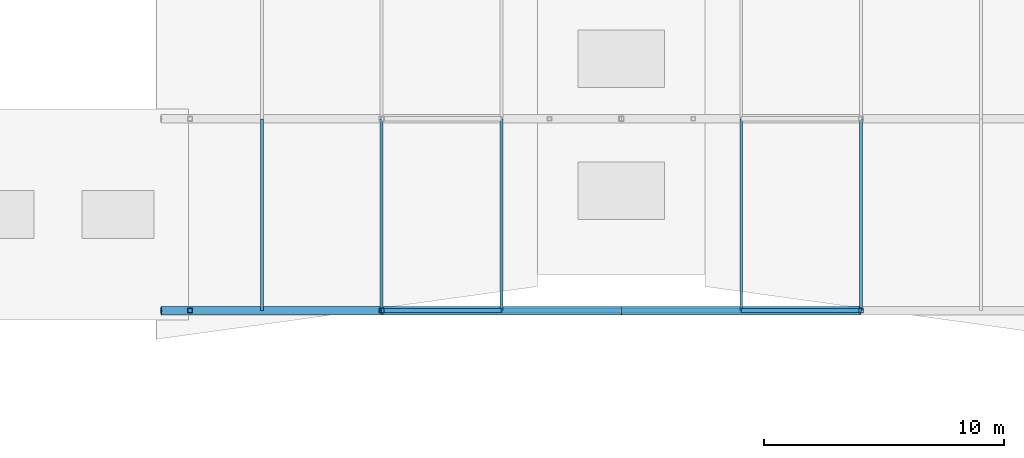
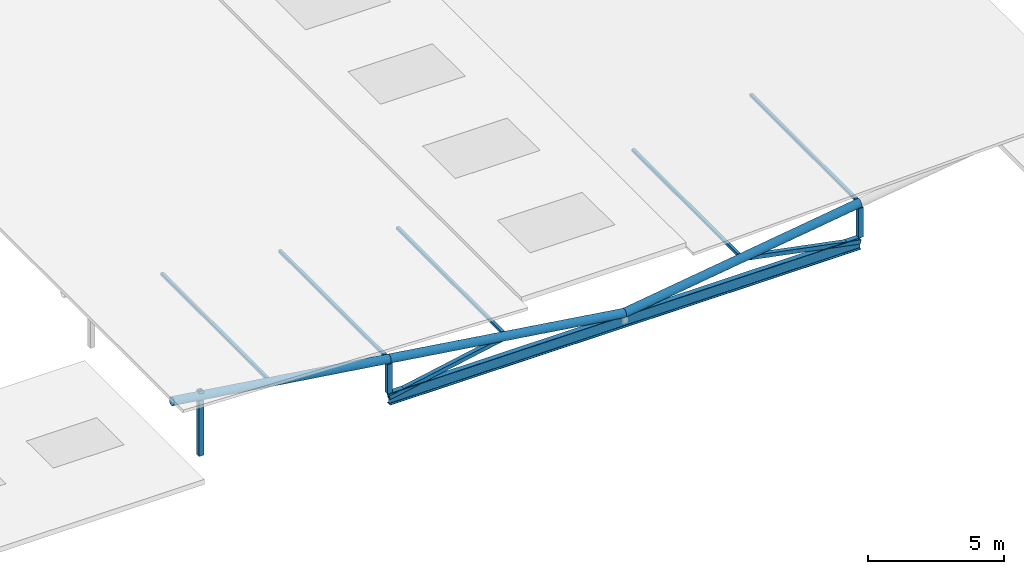
# One storey, part 15 of 84: 10 members, 4 beams.
"""IFC4 building model written with IfcOpenShell, lengths in metres."""

from ifc_helpers import new_model, si_unit, direction, frame, origin, origin_2d, place, context, subcontext, project, spatial, hollow_rectangle, hollow_circle, i_section, extrude, material, material_profile, profile_set, type_object, element, save


model = new_model("IFC4")

# Units and contexts
model_context = context("Model", 3, precision=1e-05, world=origin(), true_north=direction((0.0, 1.0)))
body_context = subcontext(model_context, "Body", "Model", "MODEL_VIEW")
ifc_project = project(units=[si_unit("LENGTHUNIT", "METRE"), si_unit("AREAUNIT", "SQUARE_METRE"), si_unit("VOLUMEUNIT", "CUBIC_METRE"), si_unit("PLANEANGLEUNIT", "RADIAN"), si_unit("MASSUNIT", "GRAM", prefix="KILO")], contexts=[model_context])

# Site, building, storey
site_placement = place(None, origin())
site = spatial("IfcSite", under=ifc_project, at=site_placement, CompositionType="ELEMENT")
building_placement = place(site_placement, origin())
building = spatial("IfcBuilding", under=site, at=building_placement, Name="Tenunan Teduh Sports Hall", CompositionType="ELEMENT")
storey_placement = place(building_placement, frame((0.0, 0.0, 10.800048828125)))
storey = spatial("IfcBuildingStorey", under=building, at=storey_placement, Name="L02", CompositionType="ELEMENT", Elevation=10.800048828125)

# Beams
ifc_material_1 = material(Name="Steel S355", Category="steel")
ifc_material_profile_1 = material_profile(ifc_material_1, hollow_circle(Radius=0.177734375, WallThickness=0.012451171875, at=origin_2d()), Name="CHS 355.6x12.5")
ifc_profile_set_1 = profile_set([ifc_material_profile_1], Name="Steel S355")
beam_type_1 = type_object("IfcBeamType", Name="GSB-CHS356", PredefinedType="BEAM", material=ifc_profile_set_1)
beam_1_placement = place(storey_placement, frame((68.800048828125, 38.0, 2.719970703125), z_axis=(0.989928466814, 0.0, -0.14156846609), x_axis=(0.0, 1.0, 0.0)))
element("IfcBeam", 1, at=beam_1_placement, inside=storey, type_object=beam_type_1, Name="Gridshell Vault Arch BM-GR-04-L02-0494", PredefinedType="BEAM", context=body_context, shape_type="SweptSolid", body=[
    extrude(hollow_circle(Radius=0.177734375, WallThickness=0.012451171875, at=origin_2d()), origin(), (0.0, 0.0, 1.0), 9.29345703125),
])
for number, where, z_axis, x_axis, name in (
    (2, (78.0, 38.0, 1.404296875), (0.98972987631, 0.0, -0.142950242877), (0.0, 1.0, 0.0), "Gridshell Vault Arch BM-GR-04-L02-0495"),
    (3, (88.0, 38.0, -0.0400390625), (0.98972987631, 0.0, 0.142950242877), (0.0, 1.0, 0.0), "Gridshell Vault Arch BM-GR-04-L02-0496"),
):
    element("IfcBeam", number, at=place(storey_placement, frame(where, z_axis=z_axis, x_axis=x_axis)), inside=storey, type_object=beam_type_1, Name=name, PredefinedType="BEAM", context=body_context, shape_type="SweptSolid", body=[
        extrude(hollow_circle(Radius=0.177734375, WallThickness=0.012451171875, at=origin_2d()), origin(), (0.0, 0.0, 1.0), 10.103759765625),
    ])

# Members
ifc_material_2 = material(Name="Steel S355", Category="steel")
ifc_material_profile_2 = material_profile(ifc_material_2, hollow_rectangle(XDim=0.1201171875, YDim=0.1201171875, WallThickness=0.00634765625, at=origin_2d()), Name="SHS 120x120x6.3")
ifc_profile_set_2 = profile_set([ifc_material_profile_2], Name="Steel S355")
member_type_1 = type_object("IfcMemberType", Name="MEM-PR-SHS120", PredefinedType="PURLIN", material=ifc_profile_set_2)
for number, where, z_axis, x_axis, name in (
    (4, (73.0, 38.0, 2.126708984375), (0.0, 1.0, 0.0), (-1.0, 0.0, 0.0), "MEM-PR-02-L02-0906"),
    (5, (78.0, 38.0, 1.404296875), (0.0, 1.0, 0.0), (-1.0, 0.0, 0.0), "MEM-PR-02-L02-0910"),
    (6, (83.0, 38.0, 0.68212890625), (0.0, 1.0, 0.0), (-1.0, 0.0, 0.0), "MEM-PR-02-L02-0914"),
    (7, (93.0, 38.0, 0.68212890625), (0.0, 1.0, 0.0), (-1.0, 0.0, 0.0), "MEM-PR-02-L02-0918"),
    (8, (98.0, 38.0, 1.404296875), (0.0, 1.0, 0.0), (-1.0, 0.0, 0.0), "MEM-PR-02-L02-0922"),
):
    element("IfcMember", number, at=place(storey_placement, frame(where, z_axis=z_axis, x_axis=x_axis)), inside=storey, type_object=member_type_1, Name=name, PredefinedType="PURLIN", context=body_context, shape_type="SweptSolid", body=[
        extrude(hollow_rectangle(XDim=0.1201171875, YDim=0.1201171875, WallThickness=0.00634765625, at=origin_2d()), origin(), (0.0, 0.0, 1.0), 8.0),
    ])
ifc_material_3 = material(Name="Steel S355", Category="steel")
ifc_material_profile_3 = material_profile(ifc_material_3, hollow_rectangle(XDim=0.179931640625, YDim=0.179931640625, WallThickness=0.010009765625, at=origin_2d()), Name="SHS 180x180x10.0")
ifc_profile_set_3 = profile_set([ifc_material_profile_3], Name="Steel S355")
member_type_2 = type_object("IfcMemberType", Name="MEM-ST-SHS180", PredefinedType="STRUT", material=ifc_profile_set_3)
for number, where, z_axis, x_axis, name in (
    (9, (78.0, 38.0, -0.300048828125), (0.981247525965, 0.0, 0.192751894383), (0.0, 1.0, 0.0), "MEM-VS-03-L02-0862"),
    (10, (98.0, 38.0, -0.300048828125), (-0.981247525965, 0.0, 0.192751894383), (0.0, -1.0, 0.0), "MEM-VS-03-L02-0863"),
):
    element("IfcMember", number, at=place(storey_placement, frame(where, z_axis=z_axis, x_axis=x_axis)), inside=storey, type_object=member_type_2, Name=name, PredefinedType="STRUT", context=body_context, shape_type="SweptSolid", body=[
        extrude(hollow_rectangle(XDim=0.179931640625, YDim=0.179931640625, WallThickness=0.010009765625, at=origin_2d()), origin(), (0.0, 0.0, 1.0), 5.095458984375),
    ])
ifc_material_4 = material(Name="Steel S355", Category="steel")
ifc_material_profile_4 = material_profile(ifc_material_4, hollow_rectangle(XDim=0.199951171875, YDim=0.199951171875, WallThickness=0.010009765625, at=origin_2d()), Name="SHS 200x200x10.0")
ifc_profile_set_4 = profile_set([ifc_material_profile_4], Name="Steel S355")
member_type_3 = type_object("IfcMemberType", Name="MEM-ST-SHS200", PredefinedType="STRUT", material=ifc_profile_set_4)
member_placement = place(storey_placement, frame((70.0, 38.0, -0.10009765625), z_axis=(0.0, 0.0, 1.0), x_axis=(1.0, 0.0, 0.0)))
element("IfcMember", 11, at=member_placement, inside=storey, type_object=member_type_3, Name="MEM-VS-02-L02-0855", PredefinedType="STRUT", context=body_context, shape_type="SweptSolid", body=[
    extrude(hollow_rectangle(XDim=0.199951171875, YDim=0.199951171875, WallThickness=0.010009765625, at=origin_2d()), origin(), (0.0, 0.0, 1.0), 2.91015625),
])
for number, where, z_axis, x_axis, name in (
    (12, (78.0, 38.0, -0.10009765625), (0.0, 0.0, 1.0), (1.0, 0.0, 0.0), "MEM-VS-02-L02-0856"),
    (13, (98.0, 38.0, -0.10009765625), (0.0, 0.0, 1.0), (1.0, 0.0, 0.0), "MEM-VS-02-L02-0857"),
):
    element("IfcMember", number, at=place(storey_placement, frame(where, z_axis=z_axis, x_axis=x_axis)), inside=storey, type_object=member_type_3, Name=name, PredefinedType="STRUT", context=body_context, shape_type="SweptSolid", body=[
        extrude(hollow_rectangle(XDim=0.199951171875, YDim=0.199951171875, WallThickness=0.010009765625, at=origin_2d()), origin(), (0.0, 0.0, 1.0), 1.32666015625),
    ])

# Beam
ifc_material_5 = material(Name="Steel S355", Category="steel")
ifc_material_profile_5 = material_profile(ifc_material_5, i_section(OverallWidth=0.2099609375, OverallDepth=0.53662109375, WebThickness=0.0107421875, FlangeThickness=0.017333984375, FilletRadius=0.0126953125, at=origin_2d()), Name="UKB 533x210x101")
ifc_profile_set_5 = profile_set([ifc_material_profile_5], Name="Steel S355")
beam_type_2 = type_object("IfcBeamType", Name="SBM-UKB533", PredefinedType="BEAM", material=ifc_profile_set_5)
beam_2_placement = place(storey_placement, frame((78.0, 38.0, -0.360107421875), z_axis=(1.0, 0.0, 0.0), x_axis=(0.0, 1.0, 0.0)))
element("IfcBeam", 14, at=beam_2_placement, inside=storey, type_object=beam_type_2, Name="BM-SB-05-L02-0493", PredefinedType="BEAM", context=body_context, shape_type="SweptSolid", body=[
    extrude(i_section(OverallWidth=0.2099609375, OverallDepth=0.53662109375, WebThickness=0.0107421875, FlangeThickness=0.017333984375, FilletRadius=0.0126953125, at=origin_2d()), origin(), (0.0, 0.0, 1.0), 20.0),
])

save(model, "model.ifc")
